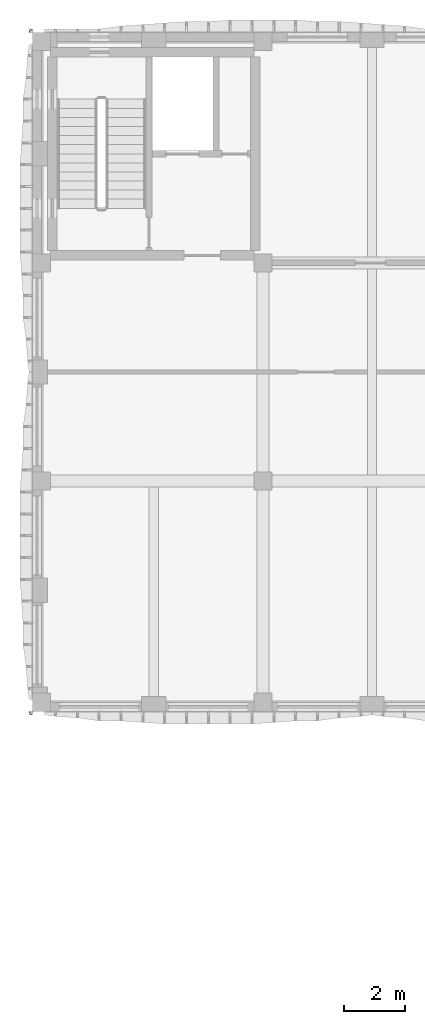
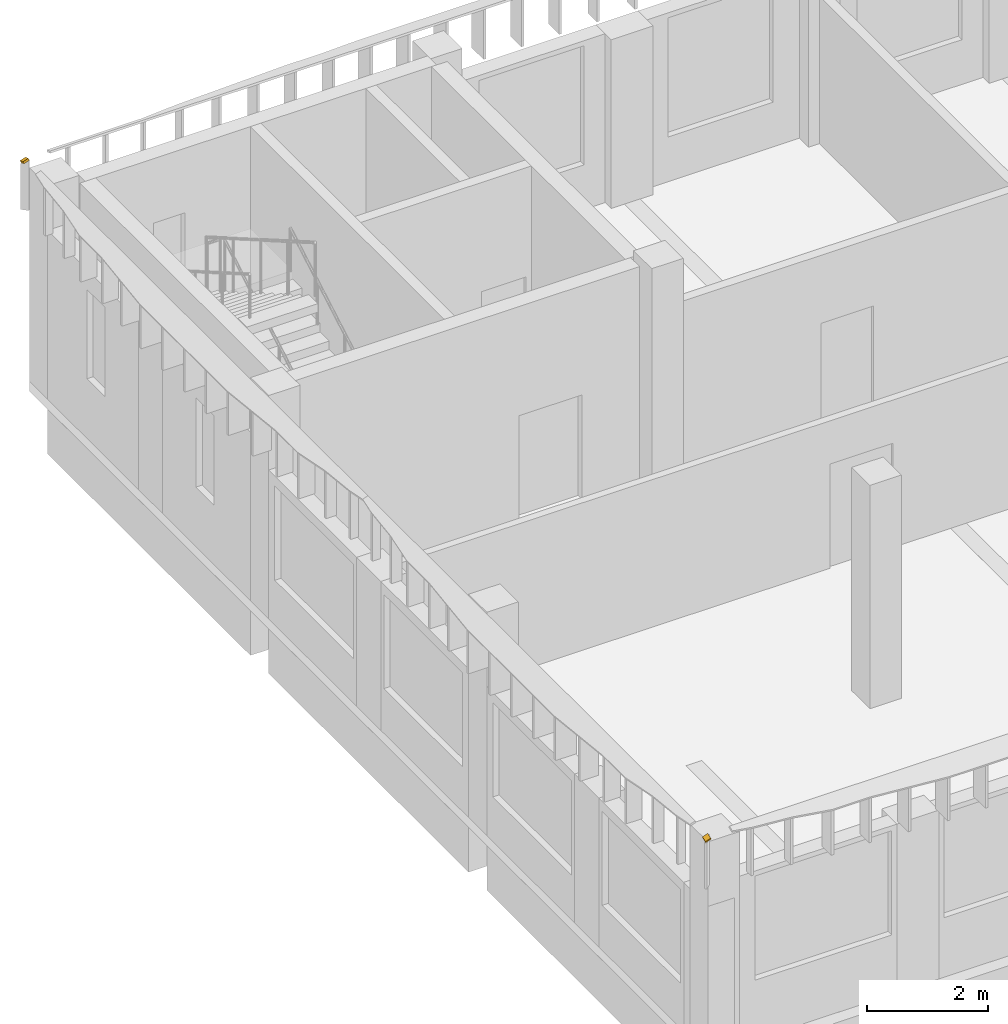
# One storey, part 37 of 38: 2 shading devices.
"""IFC4 building model written with IfcOpenShell, lengths in metres."""

from ifc_helpers import new_model, si_unit, direction, frame, origin, place, context, subcontext, project, spatial, polyline, outline, extrude, material, layer, layer_set, type_object, element, save


model = new_model("IFC4")

# Units and contexts
model_context = context("Model", 3, precision=1e-05, world=origin(), true_north=direction((0.0, 1.0)))
body_context = subcontext(model_context, "Body", "Model", "MODEL_VIEW")
ifc_project = project(units=[si_unit("LENGTHUNIT", "METRE"), si_unit("AREAUNIT", "SQUARE_METRE"), si_unit("VOLUMEUNIT", "CUBIC_METRE"), si_unit("PLANEANGLEUNIT", "RADIAN"), si_unit("MASSUNIT", "GRAM", prefix="KILO")], contexts=[model_context])

# Site, building, storey
site_placement = place(None, origin())
site = spatial("IfcSite", under=ifc_project, at=site_placement, CompositionType="ELEMENT")
building_placement = place(site_placement, origin())
building = spatial("IfcBuilding", under=site, at=building_placement, Name="Ussher Court Research Institute", CompositionType="ELEMENT")
storey_placement = place(building_placement, frame((0.0, 0.0, 23.39990234375)))
storey = spatial("IfcBuildingStorey", under=building, at=storey_placement, Name="L05", CompositionType="ELEMENT", Elevation=23.39990234375)

# Shading devices
ifc_material = material(Name="Bronze anodised aluminium", Category="aluminium")
ifc_layer = layer(ifc_material, 0.0400390625)
ifc_layer_set = layer_set([ifc_layer], Name="Bronze anodised aluminium")
shading_device_type = type_object("IfcShadingDeviceType", Name="Brim visor sheet 40 mm canted 20 deg dry", PredefinedType="USERDEFINED", material=ifc_layer_set)
shading_device_1_placement = place(storey_placement, frame((2.587158203125, 68.38720703125, 4.485595703125), z_axis=(-0.323224861095, -0.323224861095, 0.889410691604), x_axis=(-0.939860335167, 0.0, -0.341558999853)))
element("IfcShadingDevice", 1, at=shading_device_1_placement, inside=storey, type_object=shading_device_type, Name="Brim visor sheet BR2 L05", ObjectType="BRIM", PredefinedType="USERDEFINED", context=body_context, shape_type="SweptSolid", body=[
    extrude(outline(polyline([(0.0, 0.0), (0.10650269247958763, -1.734723475976807e-18), (0.11892756820666907, 0.10577545068950636), (0.01242487572708144, 0.10577545068950638), (0.0, 0.0)])), origin(), (0.0, 0.0, -1.0), 0.0400390625),
])
shading_device_2_placement = place(storey_placement, frame((2.587158203125, 90.81298828125, 4.485595703125), z_axis=(-0.323142227815, 0.323932306611, 0.889183311436), x_axis=(0.0, 0.939592038002, -0.342296365922)))
element("IfcShadingDevice", 2, at=shading_device_2_placement, inside=storey, type_object=shading_device_type, Name="Brim visor sheet BR2 L05", ObjectType="BRIM", PredefinedType="USERDEFINED", context=body_context, shape_type="SweptSolid", body=[
    extrude(outline(polyline([(0.0, 0.0), (0.10627326710575227, 0.0), (0.11872496596376943, 0.10577229647195369), (0.012451698858017153, 0.10577229647195369), (0.0, 0.0)])), origin(), (0.0, 0.0, -1.0), 0.0400390625),
])

save(model, "model.ifc")
